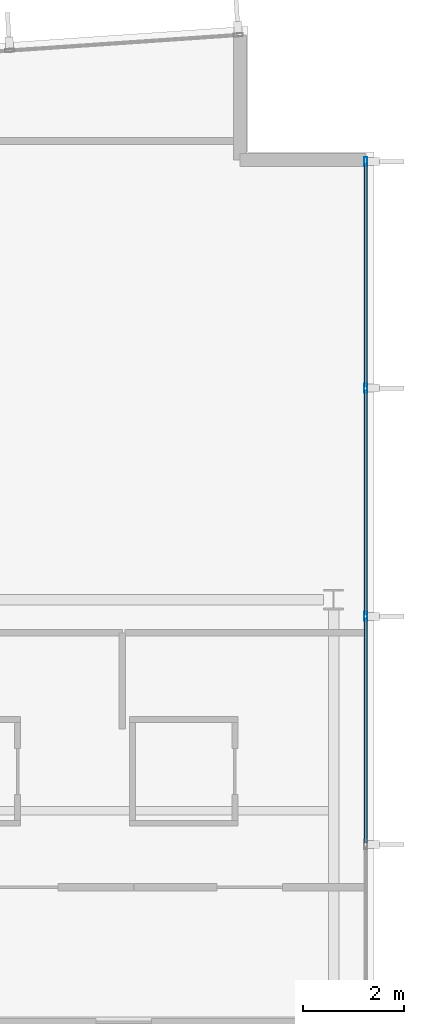
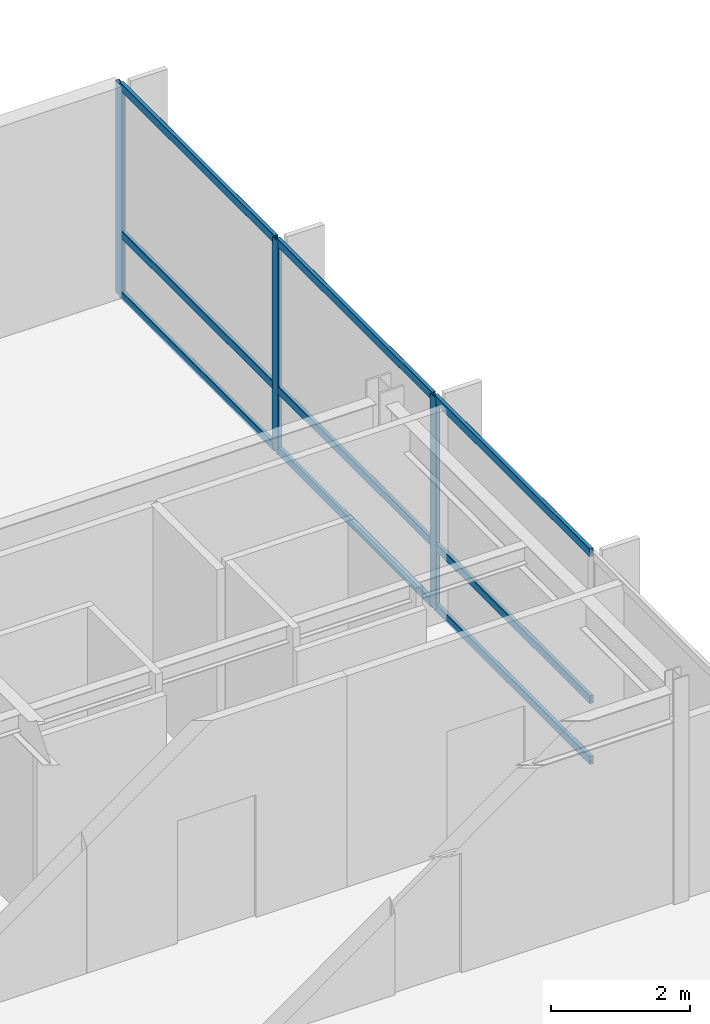
# One storey, part 8 of 17: 12 members, 1 element without a shape of its own.
"""IFC4 building model written with IfcOpenShell, lengths in metres."""

from ifc_helpers import new_model, si_unit, direction, frame, origin, origin_2d, place, context, subcontext, project, spatial, hollow_rectangle, extrude, material, layer, layer_set, material_profile, profile_set, type_object, element, aggregate, save


model = new_model("IFC4")

# Units and contexts
model_context = context("Model", 3, precision=1e-05, world=origin(), true_north=direction((0.0, 1.0)))
body_context = subcontext(model_context, "Body", "Model", "MODEL_VIEW")
ifc_project = project(units=[si_unit("LENGTHUNIT", "METRE"), si_unit("AREAUNIT", "SQUARE_METRE"), si_unit("VOLUMEUNIT", "CUBIC_METRE"), si_unit("PLANEANGLEUNIT", "RADIAN"), si_unit("MASSUNIT", "GRAM", prefix="KILO")], contexts=[model_context])

# Site, building, storey
site_placement = place(None, origin())
site = spatial("IfcSite", under=ifc_project, at=site_placement, CompositionType="ELEMENT")
building_placement = place(site_placement, origin())
building = spatial("IfcBuilding", under=site, at=building_placement, Name="Varnakote Quay Hospital", CompositionType="ELEMENT")
storey_placement = place(building_placement, frame((0.0, 0.0, 227.64990234375)))
storey = spatial("IfcBuildingStorey", under=building, at=storey_placement, Name="L56", CompositionType="ELEMENT", Elevation=227.64990234375)

# Curtain wall, members
ifc_material_1 = material(Name="Anodised aluminium 6063-T6 Bronze", Category="aluminium")
ifc_layer = layer(ifc_material_1, 0.219970703125)
ifc_layer_set = layer_set([ifc_layer], Name="Anodised aluminium 6063-T6 Bronze")
curtain_wall_type = type_object("IfcCurtainWallType", Name="CW-SYS-4", PredefinedType="NOTDEFINED", material=ifc_layer_set)
curtain_wall_placement = place(storey_placement, origin())
curtain_wall = element("IfcCurtainWall", 1, at=curtain_wall_placement, inside=storey, type_object=curtain_wall_type, Name="L56 Unitised Bronze Curtain Wall 1", PredefinedType="NOTDEFINED")
ifc_material_2 = material(Name="Anodised aluminium 6063-T6 Bronze", Category="aluminium")
ifc_material_profile_1 = material_profile(ifc_material_2, hollow_rectangle(XDim=0.06494140625, YDim=0.179931640625, WallThickness=0.00390625, InnerFilletRadius=0.00390625, OuterFilletRadius=0.008056640625, at=origin_2d()), Name="CW-MULL-180x65")
ifc_profile_set_1 = profile_set([ifc_material_profile_1], Name="Anodised aluminium 6063-T6 Bronze")
member_type_1 = type_object("IfcMemberType", Name="CW-MULL-180x65", PredefinedType="MULLION", material=ifc_profile_set_1)
member_1_placement = place(storey_placement, frame((51.0400390625, 20.068115234375, 0.0), z_axis=(0.0, 0.0, 1.0), x_axis=(-1.0, 0.0, 0.0)))
member_1 = element("IfcMember", 2, at=member_1_placement, type_object=member_type_1, Name="-4-L56-1 mullion 4", PredefinedType="MULLION", context=body_context, shape_type="SweptSolid", body=[
    extrude(hollow_rectangle(XDim=0.06494140625, YDim=0.179931640625, WallThickness=0.00390625, InnerFilletRadius=0.00390625, OuterFilletRadius=0.008056640625, at=origin_2d()), origin(), (0.0, 0.0, 1.0), 3.710205078125),
])
member_2_placement = place(storey_placement, frame((51.0400390625, 24.60400390625, 0.0), z_axis=(0.0, 0.0, 1.0), x_axis=(-1.0, 0.0, 0.0)))
member_2 = element("IfcMember", 3, at=member_2_placement, type_object=member_type_1, Name="-4-L56-1 mullion 5", PredefinedType="MULLION", context=body_context, shape_type="SweptSolid", body=[
    extrude(hollow_rectangle(XDim=0.06494140625, YDim=0.179931640625, WallThickness=0.00390625, InnerFilletRadius=0.00390625, OuterFilletRadius=0.008056640625, at=origin_2d()), origin(), (0.0, 0.0, 1.0), 3.710205078125),
])
member_3_placement = place(storey_placement, frame((51.0400390625, 29.107421875, 0.0), z_axis=(0.0, 0.0, 1.0), x_axis=(-1.0, 0.0, 0.0)))
member_3 = element("IfcMember", 4, at=member_3_placement, type_object=member_type_1, Name="-4-L56-1 mullion 6", PredefinedType="MULLION", context=body_context, shape_type="SweptSolid", body=[
    extrude(hollow_rectangle(XDim=0.06494140625, YDim=0.179931640625, WallThickness=0.00390625, InnerFilletRadius=0.00390625, OuterFilletRadius=0.008056640625, at=origin_2d()), origin(), (0.0, 0.0, 1.0), 3.710205078125),
])
ifc_material_3 = material(Name="Anodised aluminium 6063-T6 Bronze", Category="aluminium")
ifc_material_profile_2 = material_profile(ifc_material_3, hollow_rectangle(XDim=0.06494140625, YDim=0.139892578125, WallThickness=0.00390625, InnerFilletRadius=0.00390625, OuterFilletRadius=0.007568359375, at=origin_2d()), Name="CW-TRAN-140x65")
ifc_profile_set_2 = profile_set([ifc_material_profile_2], Name="Anodised aluminium 6063-T6 Bronze")
member_type_2 = type_object("IfcMemberType", Name="CW-TRAN-140x65", PredefinedType="USERDEFINED", material=ifc_profile_set_2)
member_4_placement = place(storey_placement, frame((51.0400390625, 15.564453125, 0.03271484375), z_axis=(0.0, 1.0, 0.0), x_axis=(-1.0, 0.0, 0.0)))
member_4 = element("IfcMember", 5, at=member_4_placement, type_object=member_type_2, Name="-4-L56-1 transom 3.1", ObjectType="TRANSOM", PredefinedType="USERDEFINED", context=body_context, shape_type="SweptSolid", body=[
    extrude(hollow_rectangle(XDim=0.06494140625, YDim=0.139892578125, WallThickness=0.00390625, InnerFilletRadius=0.00390625, OuterFilletRadius=0.007568359375, at=origin_2d()), origin(), (0.0, 0.0, 1.0), 4.470947265625),
])
member_5_placement = place(storey_placement, frame((51.0400390625, 15.564453125, 1.10009765625), z_axis=(0.0, 1.0, 0.0), x_axis=(-1.0, 0.0, 0.0)))
member_5 = element("IfcMember", 6, at=member_5_placement, type_object=member_type_2, Name="-4-L56-1 transom 3.2", ObjectType="TRANSOM", PredefinedType="USERDEFINED", context=body_context, shape_type="SweptSolid", body=[
    extrude(hollow_rectangle(XDim=0.06494140625, YDim=0.139892578125, WallThickness=0.00390625, InnerFilletRadius=0.00390625, OuterFilletRadius=0.007568359375, at=origin_2d()), origin(), (0.0, 0.0, 1.0), 4.470947265625),
])
member_6_placement = place(storey_placement, frame((51.0400390625, 15.564453125, 3.677490234375), z_axis=(0.0, 1.0, 0.0), x_axis=(-1.0, 0.0, 0.0)))
member_6 = element("IfcMember", 7, at=member_6_placement, type_object=member_type_2, Name="-4-L56-1 transom 3.3", ObjectType="TRANSOM", PredefinedType="USERDEFINED", context=body_context, shape_type="SweptSolid", body=[
    extrude(hollow_rectangle(XDim=0.06494140625, YDim=0.139892578125, WallThickness=0.00390625, InnerFilletRadius=0.00390625, OuterFilletRadius=0.007568359375, at=origin_2d()), origin(), (0.0, 0.0, 1.0), 4.470947265625),
])
member_7_placement = place(storey_placement, frame((51.0400390625, 20.1005859375, 0.03271484375), z_axis=(0.0, 1.0, 0.0), x_axis=(-1.0, 0.0, 0.0)))
member_7 = element("IfcMember", 8, at=member_7_placement, type_object=member_type_2, Name="-4-L56-1 transom 4.1", ObjectType="TRANSOM", PredefinedType="USERDEFINED", context=body_context, shape_type="SweptSolid", body=[
    extrude(hollow_rectangle(XDim=0.06494140625, YDim=0.139892578125, WallThickness=0.00390625, InnerFilletRadius=0.00390625, OuterFilletRadius=0.007568359375, at=origin_2d()), origin(), (0.0, 0.0, 1.0), 4.470947265625),
])
member_8_placement = place(storey_placement, frame((51.0400390625, 20.1005859375, 1.10009765625), z_axis=(0.0, 1.0, 0.0), x_axis=(-1.0, 0.0, 0.0)))
member_8 = element("IfcMember", 9, at=member_8_placement, type_object=member_type_2, Name="-4-L56-1 transom 4.2", ObjectType="TRANSOM", PredefinedType="USERDEFINED", context=body_context, shape_type="SweptSolid", body=[
    extrude(hollow_rectangle(XDim=0.06494140625, YDim=0.139892578125, WallThickness=0.00390625, InnerFilletRadius=0.00390625, OuterFilletRadius=0.007568359375, at=origin_2d()), origin(), (0.0, 0.0, 1.0), 4.470947265625),
])
member_9_placement = place(storey_placement, frame((51.0400390625, 20.1005859375, 3.677490234375), z_axis=(0.0, 1.0, 0.0), x_axis=(-1.0, 0.0, 0.0)))
member_9 = element("IfcMember", 10, at=member_9_placement, type_object=member_type_2, Name="-4-L56-1 transom 4.3", ObjectType="TRANSOM", PredefinedType="USERDEFINED", context=body_context, shape_type="SweptSolid", body=[
    extrude(hollow_rectangle(XDim=0.06494140625, YDim=0.139892578125, WallThickness=0.00390625, InnerFilletRadius=0.00390625, OuterFilletRadius=0.007568359375, at=origin_2d()), origin(), (0.0, 0.0, 1.0), 4.470947265625),
])
member_10_placement = place(storey_placement, frame((51.0400390625, 24.636474609375, 0.03271484375), z_axis=(0.0, 1.0, 0.0), x_axis=(-1.0, 0.0, 0.0)))
member_10 = element("IfcMember", 11, at=member_10_placement, type_object=member_type_2, Name="-4-L56-1 transom 5.1", ObjectType="TRANSOM", PredefinedType="USERDEFINED", context=body_context, shape_type="SweptSolid", body=[
    extrude(hollow_rectangle(XDim=0.06494140625, YDim=0.139892578125, WallThickness=0.00390625, InnerFilletRadius=0.00390625, OuterFilletRadius=0.007568359375, at=origin_2d()), origin(), (0.0, 0.0, 1.0), 4.4384765625),
])
member_11_placement = place(storey_placement, frame((51.0400390625, 24.636474609375, 1.10009765625), z_axis=(0.0, 1.0, 0.0), x_axis=(-1.0, 0.0, 0.0)))
member_11 = element("IfcMember", 12, at=member_11_placement, type_object=member_type_2, Name="-4-L56-1 transom 5.2", ObjectType="TRANSOM", PredefinedType="USERDEFINED", context=body_context, shape_type="SweptSolid", body=[
    extrude(hollow_rectangle(XDim=0.06494140625, YDim=0.139892578125, WallThickness=0.00390625, InnerFilletRadius=0.00390625, OuterFilletRadius=0.007568359375, at=origin_2d()), origin(), (0.0, 0.0, 1.0), 4.4384765625),
])
member_12_placement = place(storey_placement, frame((51.0400390625, 24.636474609375, 3.677490234375), z_axis=(0.0, 1.0, 0.0), x_axis=(-1.0, 0.0, 0.0)))
member_12 = element("IfcMember", 13, at=member_12_placement, type_object=member_type_2, Name="-4-L56-1 transom 5.3", ObjectType="TRANSOM", PredefinedType="USERDEFINED", context=body_context, shape_type="SweptSolid", body=[
    extrude(hollow_rectangle(XDim=0.06494140625, YDim=0.139892578125, WallThickness=0.00390625, InnerFilletRadius=0.00390625, OuterFilletRadius=0.007568359375, at=origin_2d()), origin(), (0.0, 0.0, 1.0), 4.4384765625),
])
aggregate(curtain_wall, [member_1, member_2, member_3, member_4, member_5, member_6, member_7, member_8, member_9, member_10, member_11, member_12])

save(model, "model.ifc")
